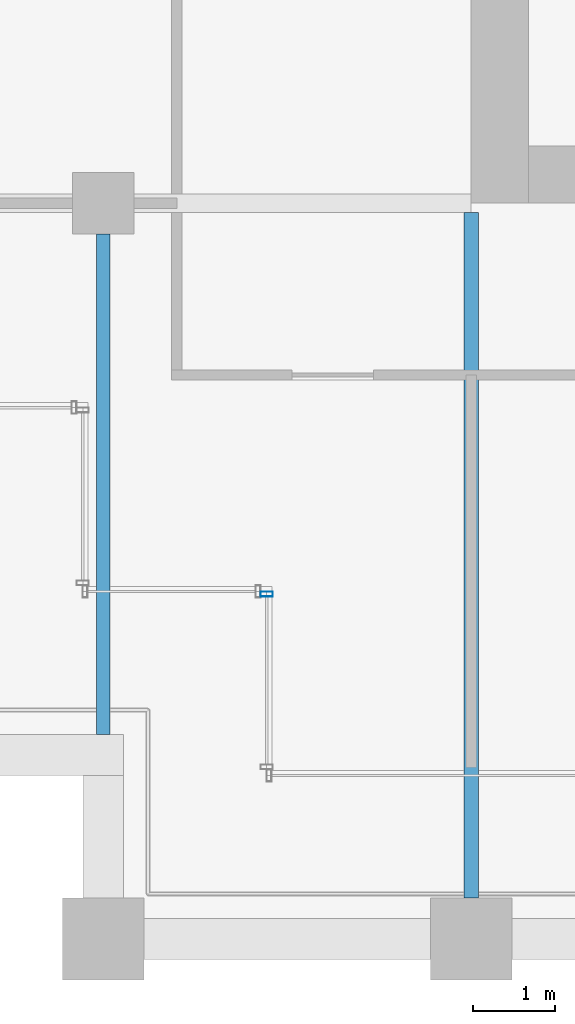
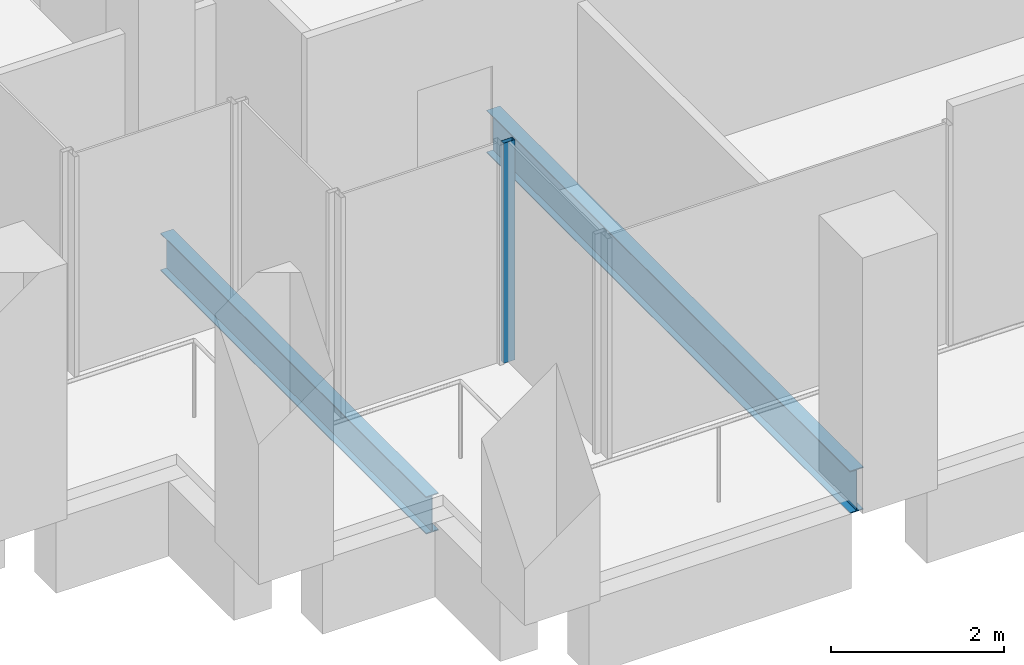
# One storey, part 29 of 45: 2 beams, 1 member, 1 element without a shape of its own.
"""IFC4 building model written with IfcOpenShell, lengths in metres."""

from ifc_helpers import new_model, si_unit, direction, frame, origin, origin_2d, place, context, subcontext, project, spatial, hollow_rectangle, i_section, extrude, material, material_profile, profile_set, type_object, element, aggregate, save


model = new_model("IFC4")

# Units and contexts
model_context = context("Model", 3, precision=1e-05, world=origin(), true_north=direction((0.0, 1.0)))
body_context = subcontext(model_context, "Body", "Model", "MODEL_VIEW")
ifc_project = project(units=[si_unit("LENGTHUNIT", "METRE"), si_unit("AREAUNIT", "SQUARE_METRE"), si_unit("VOLUMEUNIT", "CUBIC_METRE"), si_unit("PLANEANGLEUNIT", "RADIAN"), si_unit("MASSUNIT", "GRAM", prefix="KILO")], contexts=[model_context])

# Site, building, storey
site_placement = place(None, origin())
site = spatial("IfcSite", under=ifc_project, at=site_placement, CompositionType="ELEMENT")
building_placement = place(site_placement, origin())
building = spatial("IfcBuilding", under=site, at=building_placement, Name="Altepetl Exchange Towers", CompositionType="ELEMENT")
storey_placement = place(building_placement, frame((0.0, 0.0, 110.0)))
storey = spatial("IfcBuildingStorey", under=building, at=storey_placement, Name="L27", CompositionType="ELEMENT", Elevation=110.0)

# Beams
ifc_material_1 = material(Name="Steel S355", Category="steel")
ifc_material_profile_1 = material_profile(ifc_material_1, i_section(OverallWidth=0.166015625, OverallDepth=0.529052734375, WebThickness=0.009765625, FlangeThickness=0.013671875, at=origin_2d()), Name="W21X50")
ifc_profile_set_1 = profile_set([ifc_material_profile_1], Name="Steel S355")
beam_type_1 = type_object("IfcBeamType", Name="Floor beam W21X50", PredefinedType="BEAM", material=ifc_profile_set_1)
beam_1_placement = place(storey_placement, frame((99.0, 29.5, -0.41455078125), z_axis=(0.0, 1.0, 0.0), x_axis=(-1.0, 0.0, 0.0)))
element("IfcBeam", 1, at=beam_1_placement, inside=storey, type_object=beam_type_1, Name="bm:B:L27:004", PredefinedType="BEAM", context=body_context, shape_type="SweptSolid", body=[
    extrude(i_section(OverallWidth=0.166015625, OverallDepth=0.529052734375, WebThickness=0.009765625, FlangeThickness=0.013671875, at=origin_2d()), origin(), (0.0, 0.0, 1.0), 6.125),
])
ifc_material_profile_2 = material_profile(ifc_material_1, i_section(OverallWidth=0.177978515625, OverallDepth=0.59912109375, WebThickness=0.010009765625, FlangeThickness=0.0126953125, at=origin_2d()), Name="W24X55")
ifc_profile_set_2 = profile_set([ifc_material_profile_2], Name="Steel S355")
beam_type_2 = type_object("IfcBeamType", Name="Floor beam W24X55", PredefinedType="BEAM", material=ifc_profile_set_2)
beam_2_placement = place(storey_placement, frame((103.5, 27.5, -0.449462890625), z_axis=(0.0, 1.0, 0.0), x_axis=(-1.0, 0.0, 0.0)))
element("IfcBeam", 2, at=beam_2_placement, inside=storey, type_object=beam_type_2, Name="bm:B:L27:005", PredefinedType="BEAM", context=body_context, shape_type="SweptSolid", body=[
    extrude(i_section(OverallWidth=0.177978515625, OverallDepth=0.59912109375, WebThickness=0.010009765625, FlangeThickness=0.0126953125, at=origin_2d()), origin(), (0.0, 0.0, 1.0), 8.385986328125),
])

# Curtain wall, member
ifc_material_2 = material(Name="Aluminium 6063-T6 glazing", Category="aluminium")
curtain_wall_type = type_object("IfcCurtainWallType", Name="Loggia glazing system", PredefinedType="NOTDEFINED", material=ifc_material_2)
curtain_wall_placement = place(storey_placement, origin())
curtain_wall = element("IfcCurtainWall", 3, at=curtain_wall_placement, inside=storey, type_object=curtain_wall_type, Name="CW1 run", PredefinedType="NOTDEFINED")
ifc_material_3 = material(Name="Aluminium 6063-T6", Category="aluminium")
ifc_material_profile_3 = material_profile(ifc_material_3, hollow_rectangle(XDim=0.06005859375, YDim=0.14990234375, WallThickness=0.0029296875, at=origin_2d()), Name="Mullion 60x150 aluminium")
ifc_profile_set_3 = profile_set([ifc_material_profile_3], Name="Aluminium 6063-T6")
member_type = type_object("IfcMemberType", Name="Mullion 60x150 aluminium", PredefinedType="MULLION", material=ifc_profile_set_3)
member_placement = place(storey_placement, frame((101.0, 31.219970703125, 0.0), z_axis=(0.0, 0.0, 1.0), x_axis=(0.0, -1.0, 0.0)))
member = element("IfcMember", 4, at=member_placement, type_object=member_type, Name="MU1 mullion", PredefinedType="MULLION", context=body_context, shape_type="SweptSolid", body=[
    extrude(hollow_rectangle(XDim=0.06005859375, YDim=0.14990234375, WallThickness=0.0029296875, at=origin_2d()), origin(), (0.0, 0.0, 1.0), 3.10009765625),
])
aggregate(curtain_wall, [member])

save(model, "model.ifc")
